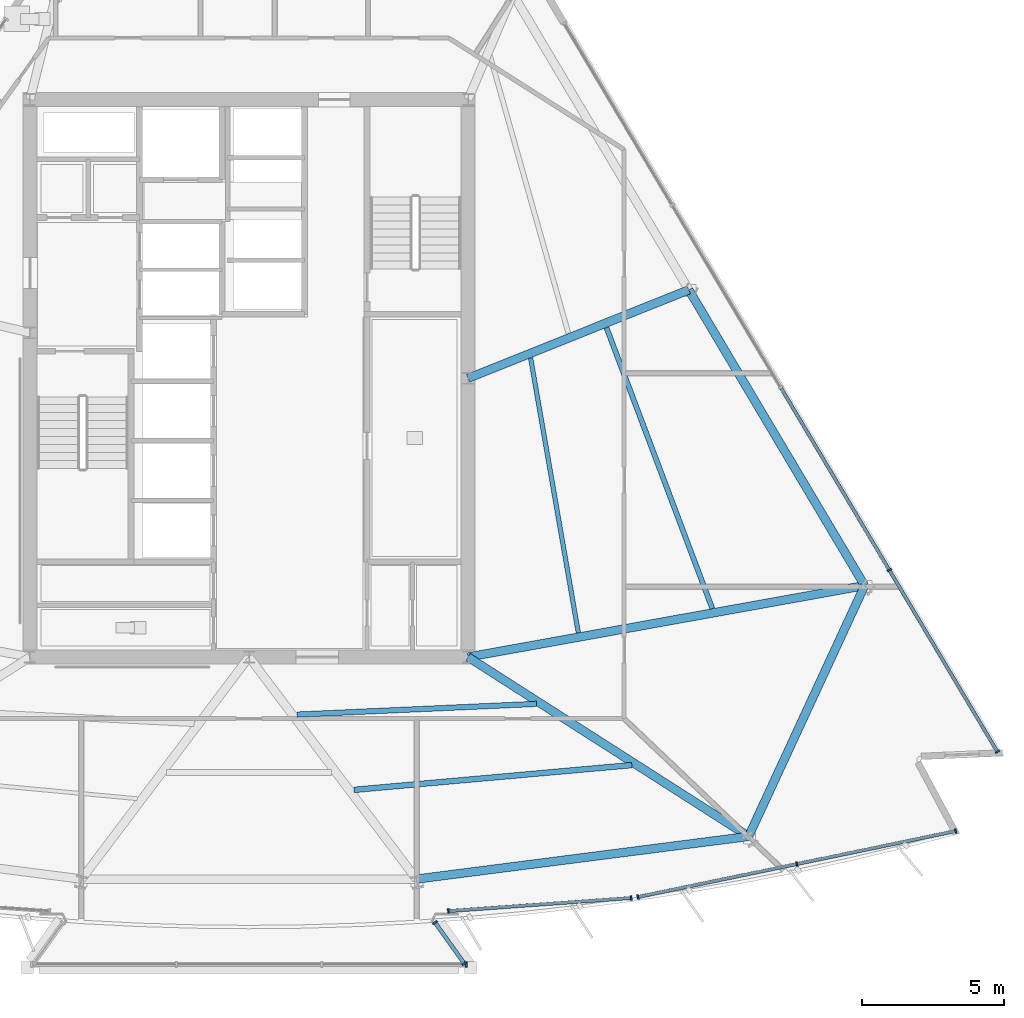
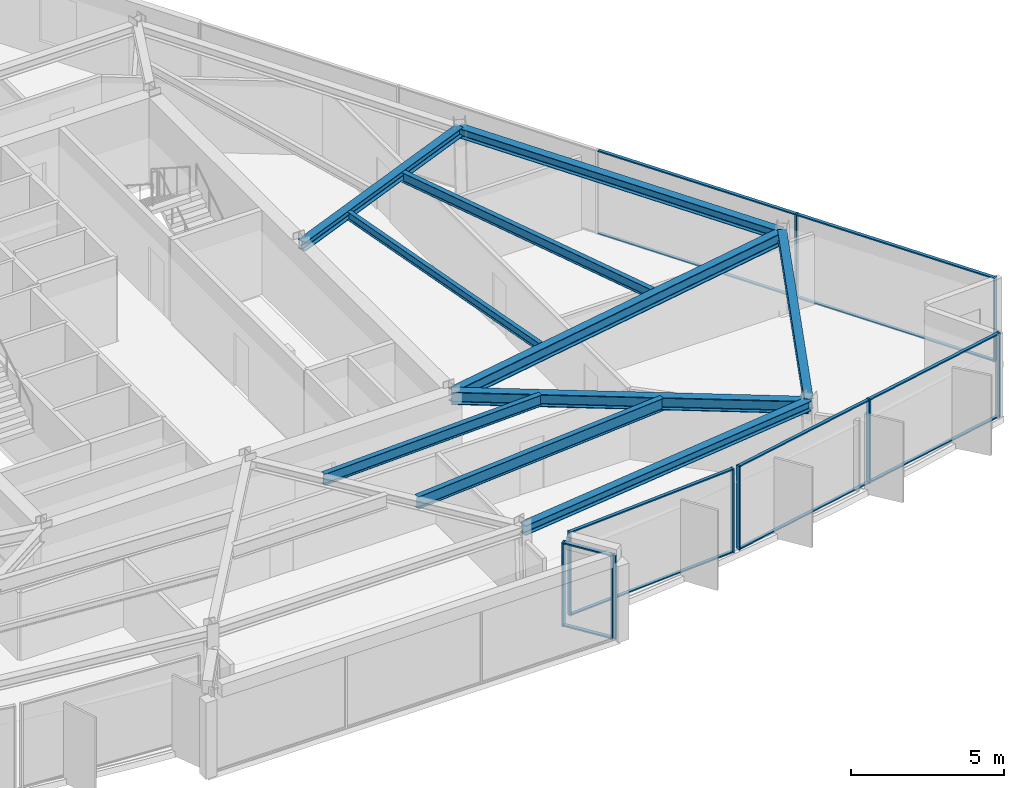
# One storey, part 5 of 15: 22 members, 10 beams, 5 elements without a shape of their own.
"""IFC4 building model written with IfcOpenShell, lengths in metres."""

from ifc_helpers import new_model, si_unit, direction, frame, origin, origin_2d, place, context, subcontext, project, spatial, rectangle, i_section, extrude, material, material_profile, profile_set, type_object, element, aggregate, save


model = new_model("IFC4")

# Units and contexts
model_context = context("Model", 3, precision=1e-05, world=origin(), true_north=direction((0.0, 1.0)))
body_context = subcontext(model_context, "Body", "Model", "MODEL_VIEW")
ifc_project = project(units=[si_unit("LENGTHUNIT", "METRE"), si_unit("AREAUNIT", "SQUARE_METRE"), si_unit("VOLUMEUNIT", "CUBIC_METRE"), si_unit("PLANEANGLEUNIT", "RADIAN"), si_unit("MASSUNIT", "GRAM", prefix="KILO")], contexts=[model_context])

# Site, building, storey
site_placement = place(None, origin())
site = spatial("IfcSite", under=ifc_project, at=site_placement, CompositionType="ELEMENT")
building_placement = place(site_placement, origin())
building = spatial("IfcBuilding", under=site, at=building_placement, Name="Savorim Split Tower", CompositionType="ELEMENT")
storey_placement = place(building_placement, frame((0.0, 0.0, 163.800048828125)))
storey = spatial("IfcBuildingStorey", under=building, at=storey_placement, Name="L43", CompositionType="ELEMENT", Elevation=163.800048828125)

# Beams
ifc_material_1 = material(Name="Steel S355", Category="steel")
ifc_material_profile_1 = material_profile(ifc_material_1, i_section(OverallWidth=0.159912109375, OverallDepth=0.330078125, WebThickness=0.007568359375, FlangeThickness=0.011474609375, FilletRadius=0.01806640625, at=origin_2d()), Name="IPE 330")
ifc_profile_set_1 = profile_set([ifc_material_profile_1], Name="Steel S355")
beam_type_1 = type_object("IfcBeamType", Name="BM-JST-IPE330", PredefinedType="JOIST", material=ifc_profile_set_1)
beam_1_placement = place(storey_placement, frame((11.576416015625, -8.538818359375, 3.18505859375), z_axis=(-0.171096101326, 0.985254344883, 0.0), x_axis=(-0.985254344883, -0.171096101326, 0.0)))
element("IfcBeam", 1, at=beam_1_placement, inside=storey, type_object=beam_type_1, Name="L43 Secondary Floor Joist JS-08", PredefinedType="JOIST", context=body_context, shape_type="SweptSolid", body=[
    extrude(i_section(OverallWidth=0.159912109375, OverallDepth=0.330078125, WebThickness=0.007568359375, FlangeThickness=0.011474609375, FilletRadius=0.01806640625, at=origin_2d()), origin(), (0.0, 0.0, 1.0), 9.7958984375),
])
ifc_material_profile_2 = material_profile(ifc_material_1, i_section(OverallWidth=0.179931640625, OverallDepth=0.39990234375, WebThickness=0.008544921875, FlangeThickness=0.013427734375, FilletRadius=0.02099609375, at=origin_2d()), Name="IPE 400")
ifc_profile_set_2 = profile_set([ifc_material_profile_2], Name="Steel S355")
beam_type_2 = type_object("IfcBeamType", Name="BM-JST-IPE400", PredefinedType="JOIST", material=ifc_profile_set_2)
beam_2_placement = place(storey_placement, frame((16.28759765625, -7.6923828125, 3.14990234375), z_axis=(-0.352657704996, 0.935752394123, 0.0), x_axis=(-0.935752394123, -0.352657704996, 0.0)))
element("IfcBeam", 2, at=beam_2_placement, inside=storey, type_object=beam_type_2, Name="L43 Secondary Floor Joist JS-06", PredefinedType="JOIST", context=body_context, shape_type="SweptSolid", body=[
    extrude(i_section(OverallWidth=0.179931640625, OverallDepth=0.39990234375, WebThickness=0.008544921875, FlangeThickness=0.013427734375, FilletRadius=0.02099609375, at=origin_2d()), origin(), (0.0, 0.0, 1.0), 10.547119140625),
])
ifc_material_profile_3 = material_profile(ifc_material_1, i_section(OverallWidth=0.18994140625, OverallDepth=0.449951171875, WebThickness=0.009521484375, FlangeThickness=0.0146484375, FilletRadius=0.02099609375, at=origin_2d()), Name="IPE 450")
ifc_profile_set_3 = profile_set([ifc_material_profile_3], Name="Steel S355")
beam_type_3 = type_object("IfcBeamType", Name="BM-JST-IPE450", PredefinedType="JOIST", material=ifc_profile_set_3)
beam_3_placement = place(storey_placement, frame((1.690185546875, -11.42236328125, 3.125), z_axis=(0.999004498794, 0.044609543701, 0.0), x_axis=(-0.044609543701, 0.999004498794, 0.0)))
element("IfcBeam", 3, at=beam_3_placement, inside=storey, type_object=beam_type_3, Name="L43 Secondary Floor Joist JS-05", PredefinedType="JOIST", context=body_context, shape_type="SweptSolid", body=[
    extrude(i_section(OverallWidth=0.18994140625, OverallDepth=0.449951171875, WebThickness=0.009521484375, FlangeThickness=0.0146484375, FilletRadius=0.02099609375, at=origin_2d()), origin(), (0.0, 0.0, 1.0), 8.422607421875),
])
ifc_material_profile_4 = material_profile(ifc_material_1, i_section(OverallWidth=0.199951171875, OverallDepth=0.5, WebThickness=0.01025390625, FlangeThickness=0.01611328125, FilletRadius=0.02099609375, at=origin_2d()), Name="IPE 500")
ifc_profile_set_4 = profile_set([ifc_material_profile_4], Name="Steel S355")
beam_type_4 = type_object("IfcBeamType", Name="BM-JST-IPE500", PredefinedType="JOIST", material=ifc_profile_set_4)
beam_4_placement = place(storey_placement, frame((3.691162109375, -14.06884765625, 3.099853515625), z_axis=(0.996046246865, 0.088836220693, 0.0), x_axis=(-0.088836220693, 0.996046246865, 0.0)))
element("IfcBeam", 4, at=beam_4_placement, inside=storey, type_object=beam_type_4, Name="L43 Secondary Floor Joist JS-04", PredefinedType="JOIST", context=body_context, shape_type="SweptSolid", body=[
    extrude(i_section(OverallWidth=0.199951171875, OverallDepth=0.5, WebThickness=0.01025390625, FlangeThickness=0.01611328125, FilletRadius=0.02099609375, at=origin_2d()), origin(), (0.0, 0.0, 1.0), 9.8056640625),
])
ifc_material_profile_5 = material_profile(ifc_material_1, i_section(OverallWidth=0.300048828125, OverallDepth=0.360107421875, WebThickness=0.012451171875, FlangeThickness=0.0224609375, FilletRadius=0.027099609375, at=origin_2d()), Name="HEB 360")
ifc_profile_set_5 = profile_set([ifc_material_profile_5], Name="Steel S355")
beam_type_5 = type_object("IfcBeamType", Name="BM-PRI-HEB360", PredefinedType="BEAM", material=ifc_profile_set_5)
beam_5_placement = place(storey_placement, frame((15.4609375, 3.507568359375, 3.169921875), z_axis=(-0.928341690507, -0.371727999574, 0.0), x_axis=(0.371727999574, -0.928341690507, 0.0)))
element("IfcBeam", 5, at=beam_5_placement, inside=storey, type_object=beam_type_5, Name="L43 Primary Floor Girder RG-06", PredefinedType="BEAM", context=body_context, shape_type="SweptSolid", body=[
    extrude(i_section(OverallWidth=0.300048828125, OverallDepth=0.360107421875, WebThickness=0.012451171875, FlangeThickness=0.0224609375, FilletRadius=0.027099609375, at=origin_2d()), origin(), (0.0, 0.0, 1.0), 8.360107421875),
])
ifc_material_profile_6 = material_profile(ifc_material_1, i_section(OverallWidth=0.300048828125, OverallDepth=0.5, WebThickness=0.014404296875, FlangeThickness=0.028076171875, FilletRadius=0.027099609375, at=origin_2d()), Name="HEB 500")
ifc_profile_set_6 = profile_set([ifc_material_profile_6], Name="Steel S355")
beam_type_6 = type_object("IfcBeamType", Name="BM-PRI-HEB500", PredefinedType="BEAM", material=ifc_profile_set_6)
beam_6_placement = place(storey_placement, frame((17.5625, -15.7060546875, 3.099853515625), z_axis=(-0.842499339053, 0.538697376729, 0.0), x_axis=(-0.538697376729, -0.842499339053, 0.0)))
element("IfcBeam", 6, at=beam_6_placement, inside=storey, type_object=beam_type_6, Name="L43 Primary Floor Girder RG-04", PredefinedType="BEAM", context=body_context, shape_type="SweptSolid", body=[
    extrude(i_section(OverallWidth=0.300048828125, OverallDepth=0.5, WebThickness=0.014404296875, FlangeThickness=0.028076171875, FilletRadius=0.027099609375, at=origin_2d()), origin(), (0.0, 0.0, 1.0), 11.706298828125),
])
beam_7_placement = place(storey_placement, frame((21.64208984375, -6.887451171875, 3.099853515625), z_axis=(-0.984148029734, -0.177348965521, 0.0), x_axis=(0.177348965521, -0.984148029734, 0.0)))
element("IfcBeam", 7, at=beam_7_placement, inside=storey, type_object=beam_type_6, Name="L43 Primary Floor Girder RG-05", PredefinedType="BEAM", context=body_context, shape_type="SweptSolid", body=[
    extrude(i_section(OverallWidth=0.300048828125, OverallDepth=0.5, WebThickness=0.014404296875, FlangeThickness=0.028076171875, FilletRadius=0.027099609375, at=origin_2d()), origin(), (0.0, 0.0, 1.0), 14.166748046875),
])
ifc_material_profile_7 = material_profile(ifc_material_1, i_section(OverallWidth=0.300048828125, OverallDepth=0.389892578125, WebThickness=0.010986328125, FlangeThickness=0.01904296875, FilletRadius=0.027099609375, at=origin_2d()), Name="HEA 400")
ifc_profile_set_7 = profile_set([ifc_material_profile_7], Name="Steel S355")
beam_type_7 = type_object("IfcBeamType", Name="BM-SPN-HEA400", PredefinedType="SPANDREL", material=ifc_profile_set_7)
beam_8_placement = place(storey_placement, frame((5.885986328125, -17.205078125, 3.155029296875), z_axis=(0.991859851892, 0.127334340239, 0.0), x_axis=(-0.127334340239, 0.991859851892, 0.0)))
element("IfcBeam", 8, at=beam_8_placement, inside=storey, type_object=beam_type_7, Name="L43 Perimeter Spandrel Beam 3", PredefinedType="SPANDREL", context=body_context, shape_type="SweptSolid", body=[
    extrude(i_section(OverallWidth=0.300048828125, OverallDepth=0.389892578125, WebThickness=0.010986328125, FlangeThickness=0.01904296875, FilletRadius=0.027099609375, at=origin_2d()), origin(), (0.0, 0.0, 1.0), 11.7724609375),
])
beam_9_placement = place(storey_placement, frame((17.5625, -15.7060546875, 3.155029296875), z_axis=(0.419861075764, 0.90758838526, 0.0), x_axis=(-0.90758838526, 0.419861075764, 0.0)))
element("IfcBeam", 9, at=beam_9_placement, inside=storey, type_object=beam_type_7, Name="L43 Perimeter Spandrel Beam 4", PredefinedType="SPANDREL", context=body_context, shape_type="SweptSolid", body=[
    extrude(i_section(OverallWidth=0.300048828125, OverallDepth=0.389892578125, WebThickness=0.010986328125, FlangeThickness=0.01904296875, FilletRadius=0.027099609375, at=origin_2d()), origin(), (0.0, 0.0, 1.0), 9.716552734375),
])
beam_10_placement = place(storey_placement, frame((21.64208984375, -6.887451171875, 3.155029296875), z_axis=(-0.511095547097, 0.859523904111, 0.0), x_axis=(-0.859523904111, -0.511095547097, 0.0)))
element("IfcBeam", 10, at=beam_10_placement, inside=storey, type_object=beam_type_7, Name="L43 Perimeter Spandrel Beam 5", PredefinedType="SPANDREL", context=body_context, shape_type="SweptSolid", body=[
    extrude(i_section(OverallWidth=0.300048828125, OverallDepth=0.389892578125, WebThickness=0.010986328125, FlangeThickness=0.01904296875, FilletRadius=0.027099609375, at=origin_2d()), origin(), (0.0, 0.0, 1.0), 12.093994140625),
])

# Curtain wall, members
ifc_material_2 = material(Name="Dark Ceramic-Fritted Insulated Glass", Category="glass")
curtain_wall_type_1 = type_object("IfcCurtainWallType", Name="CW-TWR-FRIT-B", PredefinedType="NOTDEFINED", material=ifc_material_2)
curtain_wall_1_placement = place(storey_placement, origin())
curtain_wall_1 = element("IfcCurtainWall", 11, at=curtain_wall_1_placement, inside=storey, type_object=curtain_wall_type_1, Name="L43 Curtain Wall CW-L43-SF3A", PredefinedType="NOTDEFINED")
ifc_material_3 = material(Name="Charcoal Anodised Aluminium", Category="aluminium")
ifc_material_profile_8 = material_profile(ifc_material_3, rectangle(XDim=0.159912109375, YDim=0.06005859375, at=origin_2d()), Name="ALU-M 160x60")
ifc_profile_set_8 = profile_set([ifc_material_profile_8], Name="Charcoal Anodised Aluminium")
member_type_1 = type_object("IfcMemberType", Name="CWM-160x60", PredefinedType="MULLION", material=ifc_profile_set_8)
member_1_placement = place(storey_placement, frame((7.009521484375, -18.328857421875, 0.0), z_axis=(0.0, 0.0, 1.0), x_axis=(-0.071557566389, 0.997436471507, 0.0)))
member_1 = element("IfcMember", 12, at=member_1_placement, type_object=member_type_1, Name="CW-03 mullion 1", PredefinedType="MULLION", context=body_context, shape_type="SweptSolid", body=[
    extrude(rectangle(XDim=0.159912109375, YDim=0.06005859375, at=origin_2d()), origin(), (0.0, 0.0, 1.0), 3.349853515625),
])
member_2_placement = place(storey_placement, frame((13.4326171875, -17.8681640625, 0.0), z_axis=(0.0, 0.0, 1.0), x_axis=(-0.071557566389, 0.997436471507, 0.0)))
member_2 = element("IfcMember", 13, at=member_2_placement, type_object=member_type_1, Name="CW-03 mullion 2", PredefinedType="MULLION", context=body_context, shape_type="SweptSolid", body=[
    extrude(rectangle(XDim=0.159912109375, YDim=0.06005859375, at=origin_2d()), origin(), (0.0, 0.0, 1.0), 3.349853515625),
])

curtain_wall_2_placement = place(storey_placement, origin())
curtain_wall_2 = element("IfcCurtainWall", 14, at=curtain_wall_2_placement, inside=storey, type_object=curtain_wall_type_1, Name="L43 Curtain Wall CW-L43-SF4A", PredefinedType="NOTDEFINED")
member_3_placement = place(storey_placement, frame((13.673583984375, -17.83447265625, 0.0), z_axis=(0.0, 0.0, 1.0), x_axis=(-0.20321645683, 0.979133837467, 0.0)))
member_3 = element("IfcMember", 15, at=member_3_placement, type_object=member_type_1, Name="CW-03 mullion 1", PredefinedType="MULLION", context=body_context, shape_type="SweptSolid", body=[
    extrude(rectangle(XDim=0.159912109375, YDim=0.06005859375, at=origin_2d()), origin(), (0.0, 0.0, 1.0), 3.349853515625),
])
member_4_placement = place(storey_placement, frame((19.257080078125, -16.67578125, 0.0), z_axis=(0.0, 0.0, 1.0), x_axis=(-0.20321645683, 0.979133837467, 0.0)))
member_4 = element("IfcMember", 16, at=member_4_placement, type_object=member_type_1, Name="CW-03 mullion 2", PredefinedType="MULLION", context=body_context, shape_type="SweptSolid", body=[
    extrude(rectangle(XDim=0.159912109375, YDim=0.06005859375, at=origin_2d()), origin(), (0.0, 0.0, 1.0), 3.349853515625),
])
member_5_placement = place(storey_placement, frame((24.84033203125, -15.516845703125, 0.0), z_axis=(0.0, 0.0, 1.0), x_axis=(-0.20321645683, 0.979133837467, 0.0)))
member_5 = element("IfcMember", 17, at=member_5_placement, type_object=member_type_1, Name="CW-03 mullion 3", PredefinedType="MULLION", context=body_context, shape_type="SweptSolid", body=[
    extrude(rectangle(XDim=0.159912109375, YDim=0.06005859375, at=origin_2d()), origin(), (0.0, 0.0, 1.0), 3.349853515625),
])

curtain_wall_3_placement = place(storey_placement, origin())
curtain_wall_3 = element("IfcCurtainWall", 18, at=curtain_wall_3_placement, inside=storey, type_object=curtain_wall_type_1, Name="L43 Curtain Wall CW-L43-EAST", PredefinedType="NOTDEFINED")
member_6_placement = place(storey_placement, frame((26.31005859375, -12.7314453125, 0.0), z_axis=(0.0, 0.0, 1.0), x_axis=(-0.85952495128, -0.511093786039, 0.0)))
member_6 = element("IfcMember", 19, at=member_6_placement, type_object=member_type_1, Name="CW-03 mullion 1", PredefinedType="MULLION", context=body_context, shape_type="SweptSolid", body=[
    extrude(rectangle(XDim=0.159912109375, YDim=0.06005859375, at=origin_2d()), origin(), (0.0, 0.0, 1.0), 3.349853515625),
])
member_7_placement = place(storey_placement, frame((22.5107421875, -6.34228515625, 0.0), z_axis=(0.0, 0.0, 1.0), x_axis=(-0.85952495128, -0.511093786039, 0.0)))
member_7 = element("IfcMember", 20, at=member_7_placement, type_object=member_type_1, Name="CW-03 mullion 2", PredefinedType="MULLION", context=body_context, shape_type="SweptSolid", body=[
    extrude(rectangle(XDim=0.159912109375, YDim=0.06005859375, at=origin_2d()), origin(), (0.0, 0.0, 1.0), 3.349853515625),
])

# Curtain wall, member
curtain_wall_type_2 = type_object("IfcCurtainWallType", Name="CW-BAY-LOUNGE", PredefinedType="NOTDEFINED", material=ifc_material_2)
curtain_wall_4_placement = place(storey_placement, origin())
curtain_wall_4 = element("IfcCurtainWall", 21, at=curtain_wall_4_placement, inside=storey, type_object=curtain_wall_type_2, Name="L43 Curtain Wall CW-L43-BAYF", PredefinedType="NOTDEFINED")
ifc_material_profile_9 = material_profile(ifc_material_3, rectangle(XDim=0.179931640625, YDim=0.06494140625, at=origin_2d()), Name="ALU-M 180x65")
ifc_profile_set_9 = profile_set([ifc_material_profile_9], Name="Charcoal Anodised Aluminium")
member_type_2 = type_object("IfcMemberType", Name="CWM-180x65", PredefinedType="MULLION", material=ifc_profile_set_9)
member_8_placement = place(storey_placement, frame((7.635986328125, -20.208740234375, 0.0), z_axis=(0.0, 0.0, 1.0), x_axis=(0.0, 1.0, 0.0)))
member_8 = element("IfcMember", 22, at=member_8_placement, type_object=member_type_2, Name="CW-04 mullion 4", PredefinedType="MULLION", context=body_context, shape_type="SweptSolid", body=[
    extrude(rectangle(XDim=0.179931640625, YDim=0.06494140625, at=origin_2d()), origin(), (0.0, 0.0, 1.0), 3.349853515625),
])
aggregate(curtain_wall_4, [member_8])

# Curtain wall, members
curtain_wall_5_placement = place(storey_placement, origin())
curtain_wall_5 = element("IfcCurtainWall", 23, at=curtain_wall_5_placement, inside=storey, type_object=curtain_wall_type_2, Name="L43 Curtain Wall CW-L43-BAYE", PredefinedType="NOTDEFINED")
member_9_placement = place(storey_placement, frame((7.569091796875, -20.17333984375, 0.0), z_axis=(0.0, 0.0, 1.0), x_axis=(-0.813821837279, -0.581114461331, 0.0)))
member_9 = element("IfcMember", 24, at=member_9_placement, type_object=member_type_2, Name="CW-04 mullion 1", PredefinedType="MULLION", context=body_context, shape_type="SweptSolid", body=[
    extrude(rectangle(XDim=0.179931640625, YDim=0.06494140625, at=origin_2d()), origin(), (0.0, 0.0, 1.0), 3.349853515625),
])
member_10_placement = place(storey_placement, frame((6.540771484375, -18.733154296875, 0.0), z_axis=(0.0, 0.0, 1.0), x_axis=(-0.813821837279, -0.581114461331, 0.0)))
member_10 = element("IfcMember", 25, at=member_10_placement, type_object=member_type_2, Name="CW-04 mullion 2", PredefinedType="MULLION", context=body_context, shape_type="SweptSolid", body=[
    extrude(rectangle(XDim=0.179931640625, YDim=0.06494140625, at=origin_2d()), origin(), (0.0, 0.0, 1.0), 3.349853515625),
])

# Member
ifc_material_profile_10 = material_profile(ifc_material_3, rectangle(XDim=0.1201171875, YDim=0.050048828125, at=origin_2d()), Name="ALU-T 120x50")
ifc_profile_set_10 = profile_set([ifc_material_profile_10], Name="Charcoal Anodised Aluminium")
member_type_3 = type_object("IfcMemberType", Name="CWT-120x50", PredefinedType="USERDEFINED", material=ifc_profile_set_10)
member_11_placement = place(storey_placement, frame((7.039306640625, -18.32666015625, 0.02490234375), z_axis=(0.997436116072, 0.071562520605, 0.0), x_axis=(-0.071562520605, 0.997436116072, 0.0)))
member_11 = element("IfcMember", 26, at=member_11_placement, type_object=member_type_3, Name="CW-03 transom 1.1", ObjectType="TRANSOM", PredefinedType="USERDEFINED", context=body_context, shape_type="SweptSolid", body=[
    extrude(rectangle(XDim=0.1201171875, YDim=0.050048828125, at=origin_2d()), origin(), (0.0, 0.0, 1.0), 6.379638671875),
])

member_12_placement = place(storey_placement, frame((7.039306640625, -18.32666015625, 3.324951171875), z_axis=(0.997436116072, 0.071562520605, 0.0), x_axis=(-0.071562520605, 0.997436116072, 0.0)))
member_12 = element("IfcMember", 27, at=member_12_placement, type_object=member_type_3, Name="CW-03 transom 1.2", ObjectType="TRANSOM", PredefinedType="USERDEFINED", context=body_context, shape_type="SweptSolid", body=[
    extrude(rectangle(XDim=0.1201171875, YDim=0.050048828125, at=origin_2d()), origin(), (0.0, 0.0, 1.0), 6.379638671875),
])

aggregate(curtain_wall_1, [member_1, member_2, member_11, member_12])

member_13_placement = place(storey_placement, frame((13.703125, -17.828369140625, 0.02490234375), z_axis=(0.979137086362, 0.203200802437, 0.0), x_axis=(-0.203200802437, 0.979137086362, 0.0)))
member_13 = element("IfcMember", 28, at=member_13_placement, type_object=member_type_3, Name="CW-03 transom 1.1", ObjectType="TRANSOM", PredefinedType="USERDEFINED", context=body_context, shape_type="SweptSolid", body=[
    extrude(rectangle(XDim=0.1201171875, YDim=0.050048828125, at=origin_2d()), origin(), (0.0, 0.0, 1.0), 5.64208984375),
])

member_14_placement = place(storey_placement, frame((13.703125, -17.828369140625, 3.324951171875), z_axis=(0.979137086362, 0.203200802437, 0.0), x_axis=(-0.203200802437, 0.979137086362, 0.0)))
member_14 = element("IfcMember", 29, at=member_14_placement, type_object=member_type_3, Name="CW-03 transom 1.2", ObjectType="TRANSOM", PredefinedType="USERDEFINED", context=body_context, shape_type="SweptSolid", body=[
    extrude(rectangle(XDim=0.1201171875, YDim=0.050048828125, at=origin_2d()), origin(), (0.0, 0.0, 1.0), 5.64208984375),
])

member_15_placement = place(storey_placement, frame((19.286376953125, -16.669677734375, 0.02490234375), z_axis=(0.979130263576, 0.203233675727, 0.0), x_axis=(-0.203233675727, 0.979130263576, 0.0)))
member_15 = element("IfcMember", 30, at=member_15_placement, type_object=member_type_3, Name="CW-03 transom 2.1", ObjectType="TRANSOM", PredefinedType="USERDEFINED", context=body_context, shape_type="SweptSolid", body=[
    extrude(rectangle(XDim=0.1201171875, YDim=0.050048828125, at=origin_2d()), origin(), (0.0, 0.0, 1.0), 5.642333984375),
])

member_16_placement = place(storey_placement, frame((19.286376953125, -16.669677734375, 3.324951171875), z_axis=(0.979130263576, 0.203233675727, 0.0), x_axis=(-0.203233675727, 0.979130263576, 0.0)))
member_16 = element("IfcMember", 31, at=member_16_placement, type_object=member_type_3, Name="CW-03 transom 2.2", ObjectType="TRANSOM", PredefinedType="USERDEFINED", context=body_context, shape_type="SweptSolid", body=[
    extrude(rectangle(XDim=0.1201171875, YDim=0.050048828125, at=origin_2d()), origin(), (0.0, 0.0, 1.0), 5.642333984375),
])

aggregate(curtain_wall_2, [member_3, member_4, member_5, member_13, member_14, member_15, member_16])

member_17_placement = place(storey_placement, frame((26.294677734375, -12.70556640625, 0.02490234375), z_axis=(-0.511097871575, 0.859522521911, 0.0), x_axis=(-0.859522521911, -0.511097871575, 0.0)))
member_17 = element("IfcMember", 32, at=member_17_placement, type_object=member_type_3, Name="CW-03 transom 1.1", ObjectType="TRANSOM", PredefinedType="USERDEFINED", context=body_context, shape_type="SweptSolid", body=[
    extrude(rectangle(XDim=0.1201171875, YDim=0.050048828125, at=origin_2d()), origin(), (0.0, 0.0, 1.0), 7.37353515625),
])

member_18_placement = place(storey_placement, frame((26.294677734375, -12.70556640625, 3.324951171875), z_axis=(-0.511097871575, 0.859522521911, 0.0), x_axis=(-0.859522521911, -0.511097871575, 0.0)))
member_18 = element("IfcMember", 33, at=member_18_placement, type_object=member_type_3, Name="CW-03 transom 1.2", ObjectType="TRANSOM", PredefinedType="USERDEFINED", context=body_context, shape_type="SweptSolid", body=[
    extrude(rectangle(XDim=0.1201171875, YDim=0.050048828125, at=origin_2d()), origin(), (0.0, 0.0, 1.0), 7.37353515625),
])

member_19_placement = place(storey_placement, frame((22.495361328125, -6.31640625, 0.02490234375), z_axis=(-0.511072759011, 0.859537454098, 0.0), x_axis=(-0.859537454098, -0.511072759011, 0.0)))
member_19 = element("IfcMember", 34, at=member_19_placement, type_object=member_type_3, Name="CW-03 transom 2.1", ObjectType="TRANSOM", PredefinedType="USERDEFINED", context=body_context, shape_type="SweptSolid", body=[
    extrude(rectangle(XDim=0.1201171875, YDim=0.050048828125, at=origin_2d()), origin(), (0.0, 0.0, 1.0), 7.4033203125),
])

member_20_placement = place(storey_placement, frame((22.495361328125, -6.31640625, 3.324951171875), z_axis=(-0.511072759011, 0.859537454098, 0.0), x_axis=(-0.859537454098, -0.511072759011, 0.0)))
member_20 = element("IfcMember", 35, at=member_20_placement, type_object=member_type_3, Name="CW-03 transom 2.2", ObjectType="TRANSOM", PredefinedType="USERDEFINED", context=body_context, shape_type="SweptSolid", body=[
    extrude(rectangle(XDim=0.1201171875, YDim=0.050048828125, at=origin_2d()), origin(), (0.0, 0.0, 1.0), 7.4033203125),
])

aggregate(curtain_wall_3, [member_6, member_7, member_17, member_18, member_19, member_20])

ifc_material_profile_11 = material_profile(ifc_material_3, rectangle(XDim=0.139892578125, YDim=0.054931640625, at=origin_2d()), Name="ALU-T 140x55")
ifc_profile_set_11 = profile_set([ifc_material_profile_11], Name="Charcoal Anodised Aluminium")
member_type_4 = type_object("IfcMemberType", Name="CWT-140x55", PredefinedType="USERDEFINED", material=ifc_profile_set_11)
member_21_placement = place(storey_placement, frame((7.55029296875, -20.14697265625, 0.02734375), z_axis=(-0.581116271443, 0.813820544754, 0.0), x_axis=(-0.813820544754, -0.581116271443, 0.0)))
member_21 = element("IfcMember", 36, at=member_21_placement, type_object=member_type_4, Name="CW-04 transom 1.1", ObjectType="TRANSOM", PredefinedType="USERDEFINED", context=body_context, shape_type="SweptSolid", body=[
    extrude(rectangle(XDim=0.139892578125, YDim=0.054931640625, at=origin_2d()), origin(), (0.0, 0.0, 1.0), 1.704833984375),
])

member_22_placement = place(storey_placement, frame((7.55029296875, -20.14697265625, 3.322509765625), z_axis=(-0.581116271443, 0.813820544754, 0.0), x_axis=(-0.813820544754, -0.581116271443, 0.0)))
member_22 = element("IfcMember", 37, at=member_22_placement, type_object=member_type_4, Name="CW-04 transom 1.2", ObjectType="TRANSOM", PredefinedType="USERDEFINED", context=body_context, shape_type="SweptSolid", body=[
    extrude(rectangle(XDim=0.139892578125, YDim=0.054931640625, at=origin_2d()), origin(), (0.0, 0.0, 1.0), 1.704833984375),
])

aggregate(curtain_wall_5, [member_9, member_10, member_21, member_22])

save(model, "model.ifc")
